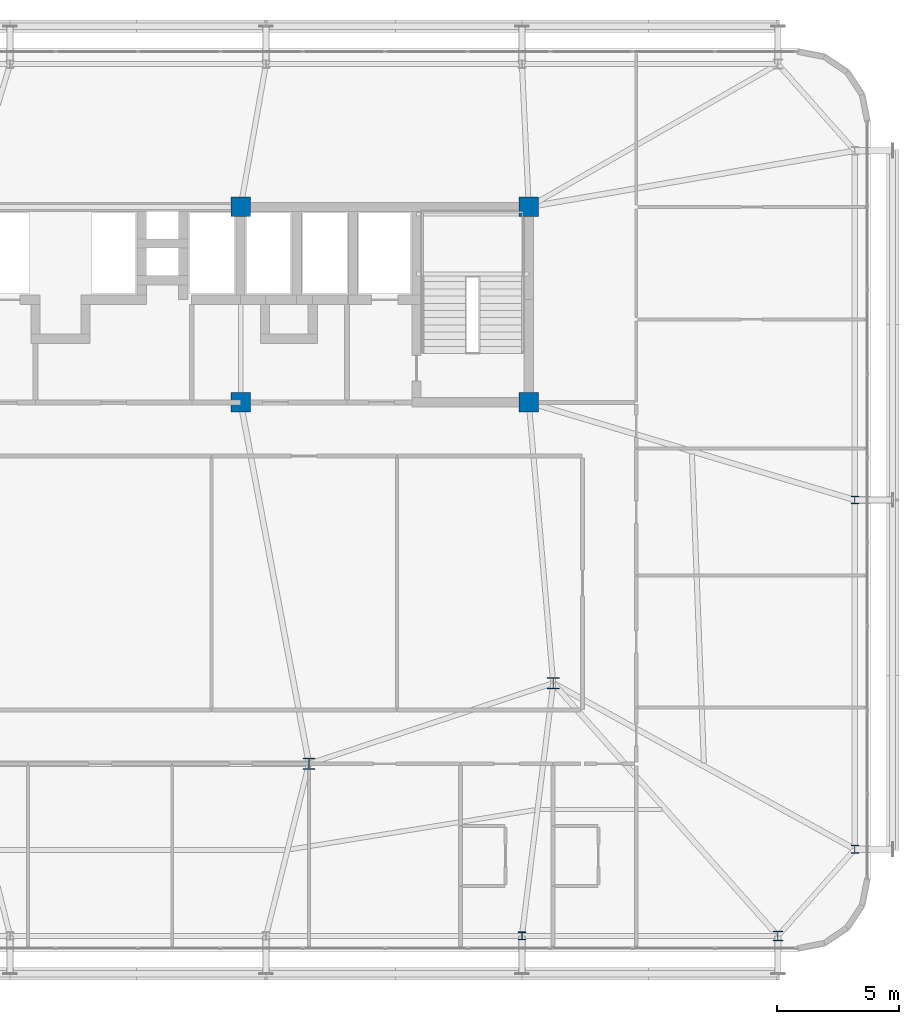
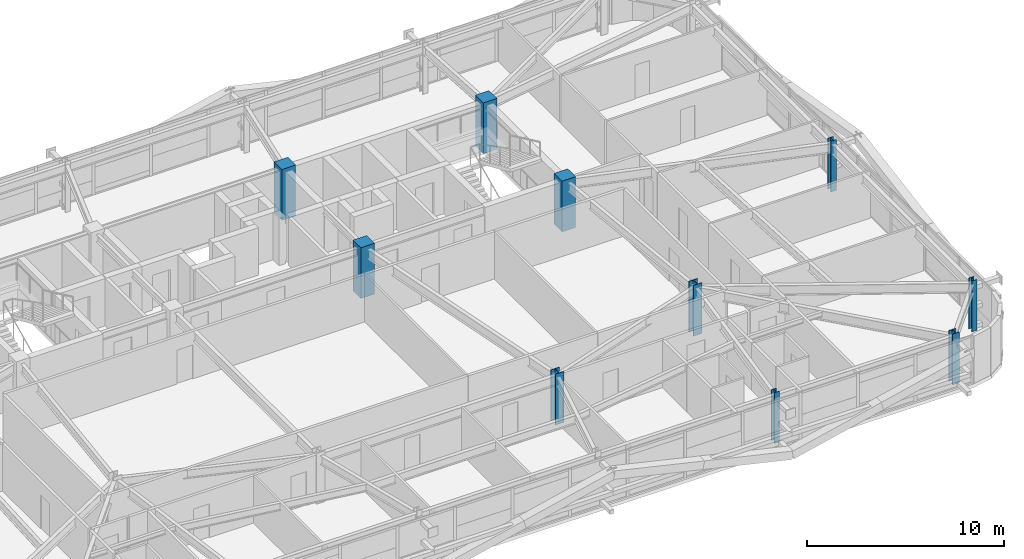
# One storey, part 2 of 58: 10 columns.
"""IFC4 building model written with IfcOpenShell, lengths in metres."""

from ifc_helpers import new_model, si_unit, direction, frame, origin, origin_2d, place, context, subcontext, project, spatial, rectangle, i_section, extrude, source, transform, mapped, material, material_profile, profile_set, type_object, element, save


model = new_model("IFC4")

# Units and contexts
model_context = context("Model", 3, precision=1e-05, world=origin(), true_north=direction((0.0, 1.0)))
body_context = subcontext(model_context, "Body", "Model", "MODEL_VIEW")
ifc_project = project(units=[si_unit("LENGTHUNIT", "METRE"), si_unit("AREAUNIT", "SQUARE_METRE"), si_unit("VOLUMEUNIT", "CUBIC_METRE"), si_unit("PLANEANGLEUNIT", "RADIAN"), si_unit("MASSUNIT", "GRAM", prefix="KILO")], contexts=[model_context])

# Site, building, storey
site_placement = place(None, origin())
site = spatial("IfcSite", under=ifc_project, at=site_placement, CompositionType="ELEMENT")
building_placement = place(site_placement, origin())
building = spatial("IfcBuilding", under=site, at=building_placement, Name="Taldren Reach Tower", CompositionType="ELEMENT")
storey_placement = place(building_placement, frame((0.0, 0.0, 54.60009765625)))
storey = spatial("IfcBuildingStorey", under=building, at=storey_placement, Name="L16", CompositionType="ELEMENT", Elevation=54.60009765625)

# Columns
ifc_material_1 = material(Name="Steel Gr 350 (350PLUS)", Category="steel")
ifc_material_profile_1 = material_profile(ifc_material_1, i_section(OverallWidth=0.5, OverallDepth=0.47998046875, WebThickness=0.028076171875, FlangeThickness=0.0439453125, at=origin_2d()), Name="500WC440")
ifc_profile_set_1 = profile_set([ifc_material_profile_1], Name="Steel Gr 350 (350PLUS)")
column_type_1 = type_object("IfcColumnType", Name="COL-WC500A", PredefinedType="COLUMN", material=ifc_profile_set_1)
shared_shape_1 = source(origin(), body_context, "Body", "SweptSolid", [
    extrude(i_section(OverallWidth=0.5, OverallDepth=0.47998046875, WebThickness=0.028076171875, FlangeThickness=0.0439453125, at=origin_2d()), origin(), (0.0, 0.0, 1.0), 3.14990234375),
])
column_1_placement = place(storey_placement, frame((42.0, 9.199951171875, 0.0), z_axis=(0.0, 0.0, 1.0), x_axis=(1.0, 0.0, 0.0)))
element("IfcColumn", 1, at=column_1_placement, inside=storey, type_object=column_type_1, Name="Mega column MC-PJE L16", PredefinedType="COLUMN", context=body_context, shape_type="MappedRepresentation", body=[
    mapped(shared_shape_1, transform((0.0, 0.0, 0.0), scale=1.0)),
])
ifc_material_profile_2 = material_profile(ifc_material_1, i_section(OverallWidth=0.39990234375, OverallDepth=0.39599609375, WebThickness=0.02197265625, FlangeThickness=0.033935546875, at=origin_2d()), Name="400WC270")
ifc_profile_set_2 = profile_set([ifc_material_profile_2], Name="Steel Gr 350 (350PLUS)")
column_type_2 = type_object("IfcColumnType", Name="COL-WC400", PredefinedType="COLUMN", material=ifc_profile_set_2)
shared_shape_2 = source(origin(), body_context, "Body", "SweptSolid", [
    extrude(i_section(OverallWidth=0.39990234375, OverallDepth=0.39599609375, WebThickness=0.02197265625, FlangeThickness=0.033935546875, at=origin_2d()), origin(), (0.0, 0.0, 1.0), 3.14990234375),
])
column_2_placement = place(storey_placement, frame((61.199951171875, 2.14990234375, 0.0), z_axis=(0.0, 0.0, 1.0), x_axis=(1.0, 0.0, 0.0)))
element("IfcColumn", 2, at=column_2_placement, inside=storey, type_object=column_type_2, Name="Block B1 perimeter column S6 L16", PredefinedType="COLUMN", context=body_context, shape_type="MappedRepresentation", body=[
    mapped(shared_shape_2, transform((0.0, 0.0, 0.0), scale=1.0)),
])
ifc_material_profile_3 = material_profile(ifc_material_1, i_section(OverallWidth=0.31103515625, OverallDepth=0.326904296875, WebThickness=0.015625, FlangeThickness=0.02490234375, at=origin_2d()), Name="310UC158")
ifc_profile_set_3 = profile_set([ifc_material_profile_3], Name="Steel Gr 350 (350PLUS)")
column_type_3 = type_object("IfcColumnType", Name="COL-UC310A", PredefinedType="COLUMN", material=ifc_profile_set_3)
shared_shape_3 = source(origin(), body_context, "Body", "SweptSolid", [
    extrude(i_section(OverallWidth=0.31103515625, OverallDepth=0.326904296875, WebThickness=0.015625, FlangeThickness=0.02490234375, at=origin_2d()), origin(), (0.0, 0.0, 1.0), 3.14990234375),
])
for number, where, z_axis, x_axis, name in (
    (3, (50.719970703125, 2.14990234375, 0.0), (0.0, 0.0, 1.0), (1.0, 0.0, 0.0), "Block B1 perimeter column S5 L16"),
    (4, (64.35009765625, 5.699951171875, 0.0), (0.0, 0.0, 1.0), (1.0, 0.0, 0.0), "Block B1 perimeter column E1 L16"),
    (5, (64.35009765625, 20.0, 0.0), (0.0, 0.0, 1.0), (1.0, 0.0, 0.0), "Block B1 perimeter column E2 L16"),
):
    element("IfcColumn", number, at=place(storey_placement, frame(where, z_axis=z_axis, x_axis=x_axis)), inside=storey, type_object=column_type_3, Name=name, PredefinedType="COLUMN", context=body_context, shape_type="MappedRepresentation", body=[
        mapped(shared_shape_3, transform((0.0, 0.0, 0.0), scale=1.0)),
    ])
ifc_material_2 = material(Name="Concrete S65 (65 MPa)", Category="concrete")
ifc_material_profile_4 = material_profile(ifc_material_2, rectangle(XDim=0.800048828125, YDim=0.800048828125, at=origin_2d()), Name="RC-800x800")
ifc_profile_set_4 = profile_set([ifc_material_profile_4], Name="Concrete S65 (65 MPa)")
column_type_4 = type_object("IfcColumnType", Name="COL-RC800", PredefinedType="COLUMN", material=ifc_profile_set_4)
shared_shape_4 = source(origin(), body_context, "Body", "SweptSolid", [
    extrude(rectangle(XDim=0.800048828125, YDim=0.800048828125, at=origin_2d()), origin(), (0.0, 0.0, 1.0), 3.14990234375),
])
for number, where, z_axis, x_axis, name in (
    (6, (39.199951171875, 24.0, 0.0), (0.0, 0.0, 1.0), (1.0, 0.0, 0.0), "Mega column MC-C3 L16"),
    (7, (51.0, 24.0, 0.0), (0.0, 0.0, 1.0), (1.0, 0.0, 0.0), "Mega column MC-C4 L16"),
    (8, (39.199951171875, 32.0, 0.0), (0.0, 0.0, 1.0), (1.0, 0.0, 0.0), "Mega column MC-C7 L16"),
    (9, (51.0, 32.0, 0.0), (0.0, 0.0, 1.0), (1.0, 0.0, 0.0), "Mega column MC-C8 L16"),
):
    element("IfcColumn", number, at=place(storey_placement, frame(where, z_axis=z_axis, x_axis=x_axis)), inside=storey, type_object=column_type_4, Name=name, PredefinedType="COLUMN", context=body_context, shape_type="MappedRepresentation", body=[
        mapped(shared_shape_4, transform((0.0, 0.0, 0.0), scale=1.0)),
    ])
ifc_material_profile_5 = material_profile(ifc_material_1, i_section(OverallWidth=0.5, OverallDepth=0.464111328125, WebThickness=0.02197265625, FlangeThickness=0.033935546875, at=origin_2d()), Name="500WC340")
ifc_profile_set_5 = profile_set([ifc_material_profile_5], Name="Steel Gr 350 (350PLUS)")
column_type_5 = type_object("IfcColumnType", Name="COL-WC500B", PredefinedType="COLUMN", material=ifc_profile_set_5)
shared_shape_5 = source(origin(), body_context, "Body", "SweptSolid", [
    extrude(i_section(OverallWidth=0.5, OverallDepth=0.464111328125, WebThickness=0.02197265625, FlangeThickness=0.033935546875, at=origin_2d()), origin(), (0.0, 0.0, 1.0), 3.14990234375),
])
column_3_placement = place(storey_placement, frame((52.0, 12.5, 0.0), z_axis=(0.0, 0.0, 1.0), x_axis=(1.0, 0.0, 0.0)))
element("IfcColumn", 10, at=column_3_placement, inside=storey, type_object=column_type_5, Name="Mega column MC-SE L16", PredefinedType="COLUMN", context=body_context, shape_type="MappedRepresentation", body=[
    mapped(shared_shape_5, transform((0.0, 0.0, 0.0), scale=1.0)),
])

save(model, "model.ifc")
